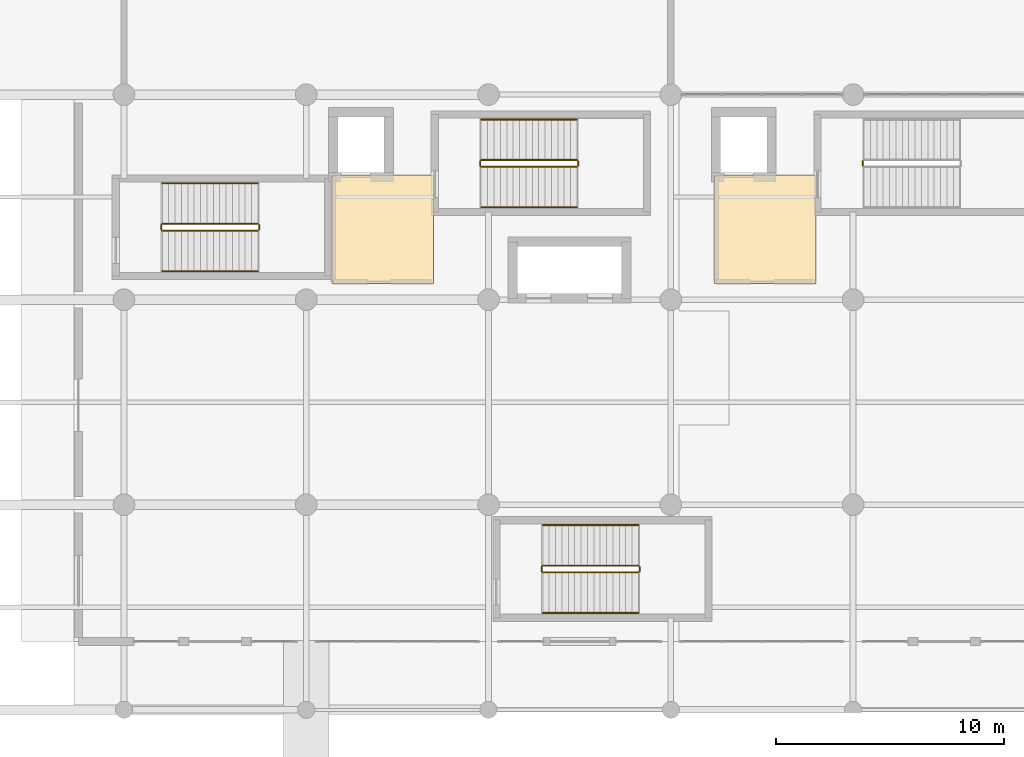
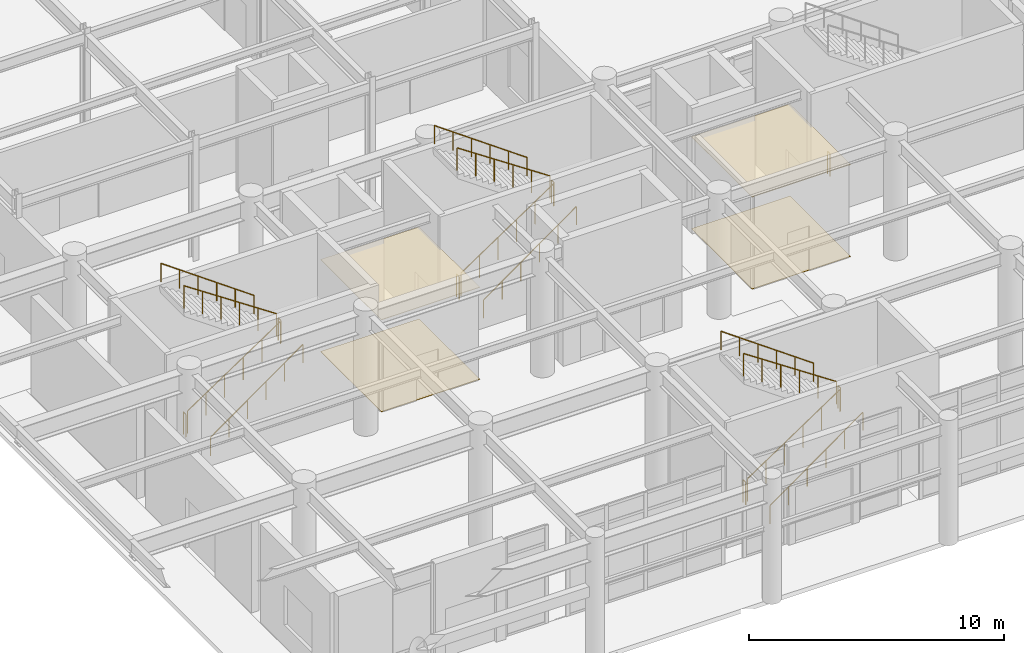
# One storey, part 40 of 49: 19 railings, 4 coverings.
"""IFC4 building model written with IfcOpenShell, lengths in metres."""

from ifc_helpers import new_model, si_unit, direction, frame, origin, origin_2d, place, context, subcontext, project, spatial, polyline, circle, outline, extrude, material, layer, layer_set, type_object, element, save


model = new_model("IFC4")

# Units and contexts
model_context = context("Model", 3, precision=1e-05, world=origin(), true_north=direction((0.0, 1.0)))
body_context = subcontext(model_context, "Body", "Model", "MODEL_VIEW")
ifc_project = project(units=[si_unit("LENGTHUNIT", "METRE"), si_unit("AREAUNIT", "SQUARE_METRE"), si_unit("VOLUMEUNIT", "CUBIC_METRE"), si_unit("PLANEANGLEUNIT", "RADIAN"), si_unit("MASSUNIT", "GRAM", prefix="KILO")], contexts=[model_context])

# Site, building, storey
site_placement = place(None, origin())
site = spatial("IfcSite", under=ifc_project, at=site_placement, CompositionType="ELEMENT")
building_placement = place(site_placement, origin())
building = spatial("IfcBuilding", under=site, at=building_placement, Name="Tlacozan Convention Centre", CompositionType="ELEMENT")
storey_placement = place(building_placement, origin())
storey = spatial("IfcBuildingStorey", under=building, at=storey_placement, Name="L00", CompositionType="ELEMENT", Elevation=0.0)

# Coverings
ifc_material_1 = material(Name="Perforated Acoustic Mineral Fibre Ceiling")
ifc_layer_1 = layer(ifc_material_1, 0.02490234375)
ifc_layer_set_1 = layer_set([ifc_layer_1], Name="Perforated Acoustic Mineral Fibre Ceiling")
covering_type_1 = type_object("IfcCoveringType", Name="Acoustic Mineral Fibre Ceiling 25", PredefinedType="CEILING", material=ifc_layer_set_1)
covering_1_placement = place(storey_placement, frame((0.0, 0.0, 4.39990234375)))
element("IfcCovering", 1, at=covering_1_placement, inside=storey, type_object=covering_type_1, Name="L00 Acoustic Ceiling L00-FFL-1", PredefinedType="CEILING", context=body_context, shape_type="SweptSolid", body=[
    extrude(outline(polyline([(17.1201171875, 18.719970703125), (21.580078125, 18.719970703125), (21.580078125, 23.47998046875), (17.1201171875, 23.47998046875), (17.1201171875, 18.719970703125)])), origin(), (0.0, 0.0, 1.0), 0.025146484375),
])
covering_2_placement = place(storey_placement, frame((0.0, 0.0, 4.39990234375)))
element("IfcCovering", 2, at=covering_2_placement, inside=storey, type_object=covering_type_1, Name="L00 Acoustic Ceiling L00-FFL-3", PredefinedType="CEILING", context=body_context, shape_type="SweptSolid", body=[
    extrude(outline(polyline([(33.919921875, 18.719970703125), (38.3798828125, 18.719970703125), (38.3798828125, 23.47998046875), (33.919921875, 23.47998046875), (33.919921875, 18.719970703125)])), origin(), (0.0, 0.0, 1.0), 0.025146484375),
])
ifc_material_2 = material(Name="Polished Basalt Terrazzo Flooring", Category="masonry")
ifc_layer_2 = layer(ifc_material_2, 0.02001953125)
ifc_layer_set_2 = layer_set([ifc_layer_2], Name="Polished Basalt Terrazzo Flooring")
covering_type_2 = type_object("IfcCoveringType", Name="Polished Basalt Terrazzo Flooring 20", PredefinedType="FLOORING", material=ifc_layer_set_2)
covering_3_placement = place(storey_placement, origin())
element("IfcCovering", 3, at=covering_3_placement, inside=storey, type_object=covering_type_2, Name="L00 Terrazzo Flooring L00-FFL-1", PredefinedType="FLOORING", context=body_context, shape_type="SweptSolid", body=[
    extrude(outline(polyline([(17.1201171875, 18.719970703125), (21.580078125, 18.719970703125), (21.580078125, 23.47998046875), (17.1201171875, 23.47998046875), (17.1201171875, 18.719970703125)])), origin(), (0.0, 0.0, 1.0), 0.02001953125),
])
covering_4_placement = place(storey_placement, origin())
element("IfcCovering", 4, at=covering_4_placement, inside=storey, type_object=covering_type_2, Name="L00 Terrazzo Flooring L00-FFL-3", PredefinedType="FLOORING", context=body_context, shape_type="SweptSolid", body=[
    extrude(outline(polyline([(33.919921875, 18.719970703125), (38.3798828125, 18.719970703125), (38.3798828125, 23.47998046875), (33.919921875, 23.47998046875), (33.919921875, 18.719970703125)])), origin(), (0.0, 0.0, 1.0), 0.02001953125),
])

# Railings
ifc_material_3 = material(Name="Architectural Painted Galvanised Steel Railing", Category="steel")
railing_type_1 = type_object("IfcRailingType", Name="Stair Wall Handrail 900", PredefinedType="HANDRAIL", material=ifc_material_3)
railing_1_placement = place(storey_placement, frame((23.679931640625, 22.050048828125, 0.1875)))
element("IfcRailing", 5, at=railing_1_placement, inside=storey, type_object=railing_type_1, Name="L00 ST-01 stair handrail 1", PredefinedType="HANDRAIL", context=body_context, shape_type="SweptSolid", body=[
    extrude(circle(Radius=0.02392578125, at=origin_2d()), frame((0.0, 0.0, 0.8759765625), z_axis=(0.813730275137, 0.0, 0.581242668191), x_axis=(0.0, 1.0, 0.0)), (0.0, 0.0, 1.0), 5.161376953125),
    extrude(circle(Radius=0.02099609375, at=origin_2d()), origin(), (0.0, 0.0, 1.0), 0.851806640625),
    extrude(circle(Radius=0.02099609375, at=origin_2d()), frame((0.840087890625, 0.0, 0.60009765625)), (0.0, 0.0, 1.0), 0.851806640625),
    extrude(circle(Radius=0.02099609375, at=origin_2d()), frame((1.679931640625, 0.0, 1.199951171875)), (0.0, 0.0, 1.0), 0.851806640625),
    extrude(circle(Radius=0.02099609375, at=origin_2d()), frame((2.52001953125, 0.0, 1.800048828125)), (0.0, 0.0, 1.0), 0.851806640625),
    extrude(circle(Radius=0.02099609375, at=origin_2d()), frame((3.35986328125, 0.0, 2.39990234375)), (0.0, 0.0, 1.0), 0.851806640625),
    extrude(circle(Radius=0.02099609375, at=origin_2d()), frame((4.199951171875, 0.0, 3.0)), (0.0, 0.0, 1.0), 0.851806640625),
])
railing_2_placement = place(storey_placement, frame((27.8798828125, 25.909912109375, 3.1875)))
element("IfcRailing", 6, at=railing_2_placement, inside=storey, type_object=railing_type_1, Name="L00 ST-01 stair handrail 2", PredefinedType="HANDRAIL", context=body_context, shape_type="SweptSolid", body=[
    extrude(circle(Radius=0.02392578125, at=origin_2d()), frame((0.0, 0.0, 0.8759765625), z_axis=(-0.813730275137, 0.0, 0.581242668191), x_axis=(0.0, -1.0, 0.0)), (0.0, 0.0, 1.0), 5.161376953125),
    extrude(circle(Radius=0.02099609375, at=origin_2d()), origin(), (0.0, 0.0, 1.0), 0.851806640625),
    extrude(circle(Radius=0.02099609375, at=origin_2d()), frame((-0.840087890625, 0.0, 0.60009765625)), (0.0, 0.0, 1.0), 0.851806640625),
    extrude(circle(Radius=0.02099609375, at=origin_2d()), frame((-1.679931640625, 0.0, 1.199951171875)), (0.0, 0.0, 1.0), 0.851806640625),
    extrude(circle(Radius=0.02099609375, at=origin_2d()), frame((-2.52001953125, 0.0, 1.800048828125)), (0.0, 0.0, 1.0), 0.851806640625),
    extrude(circle(Radius=0.02099609375, at=origin_2d()), frame((-3.35986328125, 0.0, 2.39990234375)), (0.0, 0.0, 1.0), 0.851806640625),
    extrude(circle(Radius=0.02099609375, at=origin_2d()), frame((-4.199951171875, 0.0, 3.0)), (0.0, 0.0, 1.0), 0.851806640625),
])
railing_3_placement = place(storey_placement, frame((9.679931640625, 19.25, 0.1875)))
element("IfcRailing", 7, at=railing_3_placement, inside=storey, type_object=railing_type_1, Name="L00 ST-13 stair handrail 1", PredefinedType="HANDRAIL", context=body_context, shape_type="SweptSolid", body=[
    extrude(circle(Radius=0.02392578125, at=origin_2d()), frame((0.0, 0.0, 0.8759765625), z_axis=(0.813730275137, 0.0, 0.581242668191), x_axis=(0.0, 1.0, 0.0)), (0.0, 0.0, 1.0), 5.161376953125),
    extrude(circle(Radius=0.02099609375, at=origin_2d()), origin(), (0.0, 0.0, 1.0), 0.851806640625),
    extrude(circle(Radius=0.02099609375, at=origin_2d()), frame((0.840087890625, 0.0, 0.60009765625)), (0.0, 0.0, 1.0), 0.851806640625),
    extrude(circle(Radius=0.02099609375, at=origin_2d()), frame((1.679931640625, 0.0, 1.199951171875)), (0.0, 0.0, 1.0), 0.851806640625),
    extrude(circle(Radius=0.02099609375, at=origin_2d()), frame((2.52001953125, 0.0, 1.800048828125)), (0.0, 0.0, 1.0), 0.851806640625),
    extrude(circle(Radius=0.02099609375, at=origin_2d()), frame((3.35986328125, 0.0, 2.39990234375)), (0.0, 0.0, 1.0), 0.851806640625),
    extrude(circle(Radius=0.02099609375, at=origin_2d()), frame((4.199951171875, 0.0, 3.0)), (0.0, 0.0, 1.0), 0.851806640625),
])
railing_4_placement = place(storey_placement, frame((13.8798828125, 23.110107421875, 3.1875)))
element("IfcRailing", 8, at=railing_4_placement, inside=storey, type_object=railing_type_1, Name="L00 ST-13 stair handrail 2", PredefinedType="HANDRAIL", context=body_context, shape_type="SweptSolid", body=[
    extrude(circle(Radius=0.02392578125, at=origin_2d()), frame((0.0, 0.0, 0.8759765625), z_axis=(-0.813730275137, 0.0, 0.581242668191), x_axis=(0.0, -1.0, 0.0)), (0.0, 0.0, 1.0), 5.161376953125),
    extrude(circle(Radius=0.02099609375, at=origin_2d()), origin(), (0.0, 0.0, 1.0), 0.851806640625),
    extrude(circle(Radius=0.02099609375, at=origin_2d()), frame((-0.840087890625, 0.0, 0.60009765625)), (0.0, 0.0, 1.0), 0.851806640625),
    extrude(circle(Radius=0.02099609375, at=origin_2d()), frame((-1.679931640625, 0.0, 1.199951171875)), (0.0, 0.0, 1.0), 0.851806640625),
    extrude(circle(Radius=0.02099609375, at=origin_2d()), frame((-2.52001953125, 0.0, 1.800048828125)), (0.0, 0.0, 1.0), 0.851806640625),
    extrude(circle(Radius=0.02099609375, at=origin_2d()), frame((-3.35986328125, 0.0, 2.39990234375)), (0.0, 0.0, 1.0), 0.851806640625),
    extrude(circle(Radius=0.02099609375, at=origin_2d()), frame((-4.199951171875, 0.0, 3.0)), (0.0, 0.0, 1.0), 0.851806640625),
])
railing_5_placement = place(storey_placement, frame((26.3798828125, 4.25, 0.1875)))
element("IfcRailing", 9, at=railing_5_placement, inside=storey, type_object=railing_type_1, Name="L00 ST-16 stair handrail 1", PredefinedType="HANDRAIL", context=body_context, shape_type="SweptSolid", body=[
    extrude(circle(Radius=0.02392578125, at=origin_2d()), frame((0.0, 0.0, 0.8759765625), z_axis=(0.813746254747, 0.0, 0.581220296346), x_axis=(0.0, 1.0, 0.0)), (0.0, 0.0, 1.0), 5.16162109375),
    extrude(circle(Radius=0.02099609375, at=origin_2d()), origin(), (0.0, 0.0, 1.0), 0.851806640625),
    extrude(circle(Radius=0.02099609375, at=origin_2d()), frame((0.840087890625, 0.0, 0.60009765625)), (0.0, 0.0, 1.0), 0.851806640625),
    extrude(circle(Radius=0.02099609375, at=origin_2d()), frame((1.68017578125, 0.0, 1.199951171875)), (0.0, 0.0, 1.0), 0.851806640625),
    extrude(circle(Radius=0.02099609375, at=origin_2d()), frame((2.52001953125, 0.0, 1.800048828125)), (0.0, 0.0, 1.0), 0.851806640625),
    extrude(circle(Radius=0.02099609375, at=origin_2d()), frame((3.360107421875, 0.0, 2.39990234375)), (0.0, 0.0, 1.0), 0.851806640625),
    extrude(circle(Radius=0.02099609375, at=origin_2d()), frame((4.2001953125, 0.0, 3.0)), (0.0, 0.0, 1.0), 0.851806640625),
])
railing_6_placement = place(storey_placement, frame((30.580078125, 8.110107421875, 3.1875)))
element("IfcRailing", 10, at=railing_6_placement, inside=storey, type_object=railing_type_1, Name="L00 ST-16 stair handrail 2", PredefinedType="HANDRAIL", context=body_context, shape_type="SweptSolid", body=[
    extrude(circle(Radius=0.02392578125, at=origin_2d()), frame((0.0, 0.0, 0.8759765625), z_axis=(-0.813746254747, 0.0, 0.581220296346), x_axis=(0.0, -1.0, 0.0)), (0.0, 0.0, 1.0), 5.16162109375),
    extrude(circle(Radius=0.02099609375, at=origin_2d()), origin(), (0.0, 0.0, 1.0), 0.851806640625),
    extrude(circle(Radius=0.02099609375, at=origin_2d()), frame((-0.840087890625, 0.0, 0.60009765625)), (0.0, 0.0, 1.0), 0.851806640625),
    extrude(circle(Radius=0.02099609375, at=origin_2d()), frame((-1.68017578125, 0.0, 1.199951171875)), (0.0, 0.0, 1.0), 0.851806640625),
    extrude(circle(Radius=0.02099609375, at=origin_2d()), frame((-2.52001953125, 0.0, 1.800048828125)), (0.0, 0.0, 1.0), 0.851806640625),
    extrude(circle(Radius=0.02099609375, at=origin_2d()), frame((-3.360107421875, 0.0, 2.39990234375)), (0.0, 0.0, 1.0), 0.851806640625),
    extrude(circle(Radius=0.02099609375, at=origin_2d()), frame((-4.2001953125, 0.0, 3.0)), (0.0, 0.0, 1.0), 0.851806640625),
])
railing_type_2 = type_object("IfcRailingType", Name="Stair Well Guardrail 1100", PredefinedType="GUARDRAIL", material=ifc_material_3)
railing_7_placement = place(storey_placement, frame((23.679931640625, 23.830078125, 0.1875)))
element("IfcRailing", 11, at=railing_7_placement, inside=storey, type_object=railing_type_2, Name="L00 ST-01 stair guard 1", PredefinedType="GUARDRAIL", context=body_context, shape_type="SweptSolid", body=[
    extrude(circle(Radius=0.02392578125, at=origin_2d()), frame((0.0, 0.0, 1.076171875), z_axis=(0.830904186295, 0.0, 0.556415522067), x_axis=(0.0, 1.0, 0.0)), (0.0, 0.0, 1.0), 5.0546875),
    extrude(circle(Radius=0.02099609375, at=origin_2d()), origin(), (0.0, 0.0, 1.0), 1.052001953125),
    extrude(circle(Radius=0.02099609375, at=origin_2d()), frame((0.840087890625, 0.0, 0.5625)), (0.0, 0.0, 1.0), 1.052001953125),
    extrude(circle(Radius=0.02099609375, at=origin_2d()), frame((1.679931640625, 0.0, 1.125)), (0.0, 0.0, 1.0), 1.052001953125),
    extrude(circle(Radius=0.02099609375, at=origin_2d()), frame((2.52001953125, 0.0, 1.6875)), (0.0, 0.0, 1.0), 1.052001953125),
    extrude(circle(Radius=0.02099609375, at=origin_2d()), frame((3.35986328125, 0.0, 2.25)), (0.0, 0.0, 1.0), 1.052001953125),
    extrude(circle(Radius=0.02099609375, at=origin_2d()), frame((4.199951171875, 0.0, 2.8125)), (0.0, 0.0, 1.0), 1.052001953125),
])
railing_8_placement = place(storey_placement, frame((27.929931640625, 23.8798828125, 3.0)))
element("IfcRailing", 12, at=railing_8_placement, inside=storey, type_object=railing_type_2, Name="L00 ST-01 stair guard 2", PredefinedType="GUARDRAIL", context=body_context, shape_type="SweptSolid", body=[
    extrude(circle(Radius=0.02392578125, at=origin_2d()), frame((0.0, 0.0, 1.076171875), z_axis=(0.0, 1.0, 0.0), x_axis=(-1.0, 0.0, 0.0)), (0.0, 0.0, 1.0), 0.2001953125),
    extrude(circle(Radius=0.02099609375, at=origin_2d()), origin(), (0.0, 0.0, 1.0), 1.052001953125),
    extrude(circle(Radius=0.02099609375, at=origin_2d()), frame((0.0, 0.2001953125, 0.0)), (0.0, 0.0, 1.0), 1.052001953125),
])
railing_9_placement = place(storey_placement, frame((27.8798828125, 24.1298828125, 3.1875)))
element("IfcRailing", 13, at=railing_9_placement, inside=storey, type_object=railing_type_2, Name="L00 ST-01 stair guard 3", PredefinedType="GUARDRAIL", context=body_context, shape_type="SweptSolid", body=[
    extrude(circle(Radius=0.02392578125, at=origin_2d()), frame((0.0, 0.0, 1.076171875), z_axis=(-0.830904186295, 0.0, 0.556415522067), x_axis=(0.0, -1.0, 0.0)), (0.0, 0.0, 1.0), 5.0546875),
    extrude(circle(Radius=0.02099609375, at=origin_2d()), origin(), (0.0, 0.0, 1.0), 1.052001953125),
    extrude(circle(Radius=0.02099609375, at=origin_2d()), frame((-0.840087890625, 0.0, 0.5625)), (0.0, 0.0, 1.0), 1.052001953125),
    extrude(circle(Radius=0.02099609375, at=origin_2d()), frame((-1.679931640625, 0.0, 1.125)), (0.0, 0.0, 1.0), 1.052001953125),
    extrude(circle(Radius=0.02099609375, at=origin_2d()), frame((-2.52001953125, 0.0, 1.6875)), (0.0, 0.0, 1.0), 1.052001953125),
    extrude(circle(Radius=0.02099609375, at=origin_2d()), frame((-3.35986328125, 0.0, 2.25)), (0.0, 0.0, 1.0), 1.052001953125),
    extrude(circle(Radius=0.02099609375, at=origin_2d()), frame((-4.199951171875, 0.0, 2.8125)), (0.0, 0.0, 1.0), 1.052001953125),
])
for number, where, name in (
    (14, (23.6298828125, 23.8798828125, 0.0), "L00 ST-01 stair guard 4"),
    (15, (40.429931640625, 23.8798828125, 0.0), "L00 ST-04 stair guard 4"),
):
    element("IfcRailing", number, at=place(storey_placement, frame(where)), inside=storey, type_object=railing_type_2, Name=name, PredefinedType="GUARDRAIL", context=body_context, shape_type="SweptSolid", body=[
        extrude(circle(Radius=0.02392578125, at=origin_2d()), frame((0.0, 0.0, 1.076171875), z_axis=(0.0, 1.0, 0.0), x_axis=(-1.0, 0.0, 0.0)), (0.0, 0.0, 1.0), 0.2001953125),
        extrude(circle(Radius=0.02099609375, at=origin_2d()), origin(), (0.0, 0.0, 1.0), 1.052001953125),
        extrude(circle(Radius=0.02099609375, at=origin_2d()), frame((0.0, 0.2001953125, 0.0)), (0.0, 0.0, 1.0), 1.052001953125),
    ])
railing_10_placement = place(storey_placement, frame((9.679931640625, 21.030029296875, 0.1875)))
element("IfcRailing", 16, at=railing_10_placement, inside=storey, type_object=railing_type_2, Name="L00 ST-13 stair guard 1", PredefinedType="GUARDRAIL", context=body_context, shape_type="SweptSolid", body=[
    extrude(circle(Radius=0.02392578125, at=origin_2d()), frame((0.0, 0.0, 1.076171875), z_axis=(0.830904186295, 0.0, 0.556415522067), x_axis=(0.0, 1.0, 0.0)), (0.0, 0.0, 1.0), 5.0546875),
    extrude(circle(Radius=0.02099609375, at=origin_2d()), origin(), (0.0, 0.0, 1.0), 1.052001953125),
    extrude(circle(Radius=0.02099609375, at=origin_2d()), frame((0.840087890625, 0.0, 0.5625)), (0.0, 0.0, 1.0), 1.052001953125),
    extrude(circle(Radius=0.02099609375, at=origin_2d()), frame((1.679931640625, 0.0, 1.125)), (0.0, 0.0, 1.0), 1.052001953125),
    extrude(circle(Radius=0.02099609375, at=origin_2d()), frame((2.52001953125, 0.0, 1.6875)), (0.0, 0.0, 1.0), 1.052001953125),
    extrude(circle(Radius=0.02099609375, at=origin_2d()), frame((3.35986328125, 0.0, 2.25)), (0.0, 0.0, 1.0), 1.052001953125),
    extrude(circle(Radius=0.02099609375, at=origin_2d()), frame((4.199951171875, 0.0, 2.8125)), (0.0, 0.0, 1.0), 1.052001953125),
])
railing_11_placement = place(storey_placement, frame((13.929931640625, 21.080078125, 3.0)))
element("IfcRailing", 17, at=railing_11_placement, inside=storey, type_object=railing_type_2, Name="L00 ST-13 stair guard 2", PredefinedType="GUARDRAIL", context=body_context, shape_type="SweptSolid", body=[
    extrude(circle(Radius=0.02392578125, at=origin_2d()), frame((0.0, 0.0, 1.076171875), z_axis=(0.0, 1.0, 0.0), x_axis=(-1.0, 0.0, 0.0)), (0.0, 0.0, 1.0), 0.199951171875),
    extrude(circle(Radius=0.02099609375, at=origin_2d()), origin(), (0.0, 0.0, 1.0), 1.052001953125),
    extrude(circle(Radius=0.02099609375, at=origin_2d()), frame((0.0, 0.199951171875, 0.0)), (0.0, 0.0, 1.0), 1.052001953125),
])
railing_12_placement = place(storey_placement, frame((13.8798828125, 21.330078125, 3.1875)))
element("IfcRailing", 18, at=railing_12_placement, inside=storey, type_object=railing_type_2, Name="L00 ST-13 stair guard 3", PredefinedType="GUARDRAIL", context=body_context, shape_type="SweptSolid", body=[
    extrude(circle(Radius=0.02392578125, at=origin_2d()), frame((0.0, 0.0, 1.076171875), z_axis=(-0.830904186295, 0.0, 0.556415522067), x_axis=(0.0, -1.0, 0.0)), (0.0, 0.0, 1.0), 5.0546875),
    extrude(circle(Radius=0.02099609375, at=origin_2d()), origin(), (0.0, 0.0, 1.0), 1.052001953125),
    extrude(circle(Radius=0.02099609375, at=origin_2d()), frame((-0.840087890625, 0.0, 0.5625)), (0.0, 0.0, 1.0), 1.052001953125),
    extrude(circle(Radius=0.02099609375, at=origin_2d()), frame((-1.679931640625, 0.0, 1.125)), (0.0, 0.0, 1.0), 1.052001953125),
    extrude(circle(Radius=0.02099609375, at=origin_2d()), frame((-2.52001953125, 0.0, 1.6875)), (0.0, 0.0, 1.0), 1.052001953125),
    extrude(circle(Radius=0.02099609375, at=origin_2d()), frame((-3.35986328125, 0.0, 2.25)), (0.0, 0.0, 1.0), 1.052001953125),
    extrude(circle(Radius=0.02099609375, at=origin_2d()), frame((-4.199951171875, 0.0, 2.8125)), (0.0, 0.0, 1.0), 1.052001953125),
])
railing_13_placement = place(storey_placement, frame((9.6298828125, 21.080078125, 0.0)))
element("IfcRailing", 19, at=railing_13_placement, inside=storey, type_object=railing_type_2, Name="L00 ST-13 stair guard 4", PredefinedType="GUARDRAIL", context=body_context, shape_type="SweptSolid", body=[
    extrude(circle(Radius=0.02392578125, at=origin_2d()), frame((0.0, 0.0, 1.076171875), z_axis=(0.0, 1.0, 0.0), x_axis=(-1.0, 0.0, 0.0)), (0.0, 0.0, 1.0), 0.199951171875),
    extrude(circle(Radius=0.02099609375, at=origin_2d()), origin(), (0.0, 0.0, 1.0), 1.052001953125),
    extrude(circle(Radius=0.02099609375, at=origin_2d()), frame((0.0, 0.199951171875, 0.0)), (0.0, 0.0, 1.0), 1.052001953125),
])
railing_14_placement = place(storey_placement, frame((26.3798828125, 6.030029296875, 0.1875)))
element("IfcRailing", 20, at=railing_14_placement, inside=storey, type_object=railing_type_2, Name="L00 ST-16 stair guard 1", PredefinedType="GUARDRAIL", context=body_context, shape_type="SweptSolid", body=[
    extrude(circle(Radius=0.02392578125, at=origin_2d()), frame((0.0, 0.0, 1.076171875), z_axis=(0.830919138977, 0.0, 0.55639319234), x_axis=(0.0, 1.0, 0.0)), (0.0, 0.0, 1.0), 5.054931640625),
    extrude(circle(Radius=0.02099609375, at=origin_2d()), origin(), (0.0, 0.0, 1.0), 1.052001953125),
    extrude(circle(Radius=0.02099609375, at=origin_2d()), frame((0.840087890625, 0.0, 0.5625)), (0.0, 0.0, 1.0), 1.052001953125),
    extrude(circle(Radius=0.02099609375, at=origin_2d()), frame((1.68017578125, 0.0, 1.125)), (0.0, 0.0, 1.0), 1.052001953125),
    extrude(circle(Radius=0.02099609375, at=origin_2d()), frame((2.52001953125, 0.0, 1.6875)), (0.0, 0.0, 1.0), 1.052001953125),
    extrude(circle(Radius=0.02099609375, at=origin_2d()), frame((3.360107421875, 0.0, 2.25)), (0.0, 0.0, 1.0), 1.052001953125),
    extrude(circle(Radius=0.02099609375, at=origin_2d()), frame((4.2001953125, 0.0, 2.8125)), (0.0, 0.0, 1.0), 1.052001953125),
])
railing_15_placement = place(storey_placement, frame((30.6298828125, 6.080078125, 3.0)))
element("IfcRailing", 21, at=railing_15_placement, inside=storey, type_object=railing_type_2, Name="L00 ST-16 stair guard 2", PredefinedType="GUARDRAIL", context=body_context, shape_type="SweptSolid", body=[
    extrude(circle(Radius=0.02392578125, at=origin_2d()), frame((0.0, 0.0, 1.076171875), z_axis=(0.0, 1.0, 0.0), x_axis=(-1.0, 0.0, 0.0)), (0.0, 0.0, 1.0), 0.199951171875),
    extrude(circle(Radius=0.02099609375, at=origin_2d()), origin(), (0.0, 0.0, 1.0), 1.052001953125),
    extrude(circle(Radius=0.02099609375, at=origin_2d()), frame((0.0, 0.199951171875, 0.0)), (0.0, 0.0, 1.0), 1.052001953125),
])
railing_16_placement = place(storey_placement, frame((30.580078125, 6.330078125, 3.1875)))
element("IfcRailing", 22, at=railing_16_placement, inside=storey, type_object=railing_type_2, Name="L00 ST-16 stair guard 3", PredefinedType="GUARDRAIL", context=body_context, shape_type="SweptSolid", body=[
    extrude(circle(Radius=0.02392578125, at=origin_2d()), frame((0.0, 0.0, 1.076171875), z_axis=(-0.830919138977, 0.0, 0.55639319234), x_axis=(0.0, -1.0, 0.0)), (0.0, 0.0, 1.0), 5.054931640625),
    extrude(circle(Radius=0.02099609375, at=origin_2d()), origin(), (0.0, 0.0, 1.0), 1.052001953125),
    extrude(circle(Radius=0.02099609375, at=origin_2d()), frame((-0.840087890625, 0.0, 0.5625)), (0.0, 0.0, 1.0), 1.052001953125),
    extrude(circle(Radius=0.02099609375, at=origin_2d()), frame((-1.68017578125, 0.0, 1.125)), (0.0, 0.0, 1.0), 1.052001953125),
    extrude(circle(Radius=0.02099609375, at=origin_2d()), frame((-2.52001953125, 0.0, 1.6875)), (0.0, 0.0, 1.0), 1.052001953125),
    extrude(circle(Radius=0.02099609375, at=origin_2d()), frame((-3.360107421875, 0.0, 2.25)), (0.0, 0.0, 1.0), 1.052001953125),
    extrude(circle(Radius=0.02099609375, at=origin_2d()), frame((-4.2001953125, 0.0, 2.8125)), (0.0, 0.0, 1.0), 1.052001953125),
])
railing_17_placement = place(storey_placement, frame((26.330078125, 6.080078125, 0.0)))
element("IfcRailing", 23, at=railing_17_placement, inside=storey, type_object=railing_type_2, Name="L00 ST-16 stair guard 4", PredefinedType="GUARDRAIL", context=body_context, shape_type="SweptSolid", body=[
    extrude(circle(Radius=0.02392578125, at=origin_2d()), frame((0.0, 0.0, 1.076171875), z_axis=(0.0, 1.0, 0.0), x_axis=(-1.0, 0.0, 0.0)), (0.0, 0.0, 1.0), 0.199951171875),
    extrude(circle(Radius=0.02099609375, at=origin_2d()), origin(), (0.0, 0.0, 1.0), 1.052001953125),
    extrude(circle(Radius=0.02099609375, at=origin_2d()), frame((0.0, 0.199951171875, 0.0)), (0.0, 0.0, 1.0), 1.052001953125),
])

save(model, "model.ifc")
